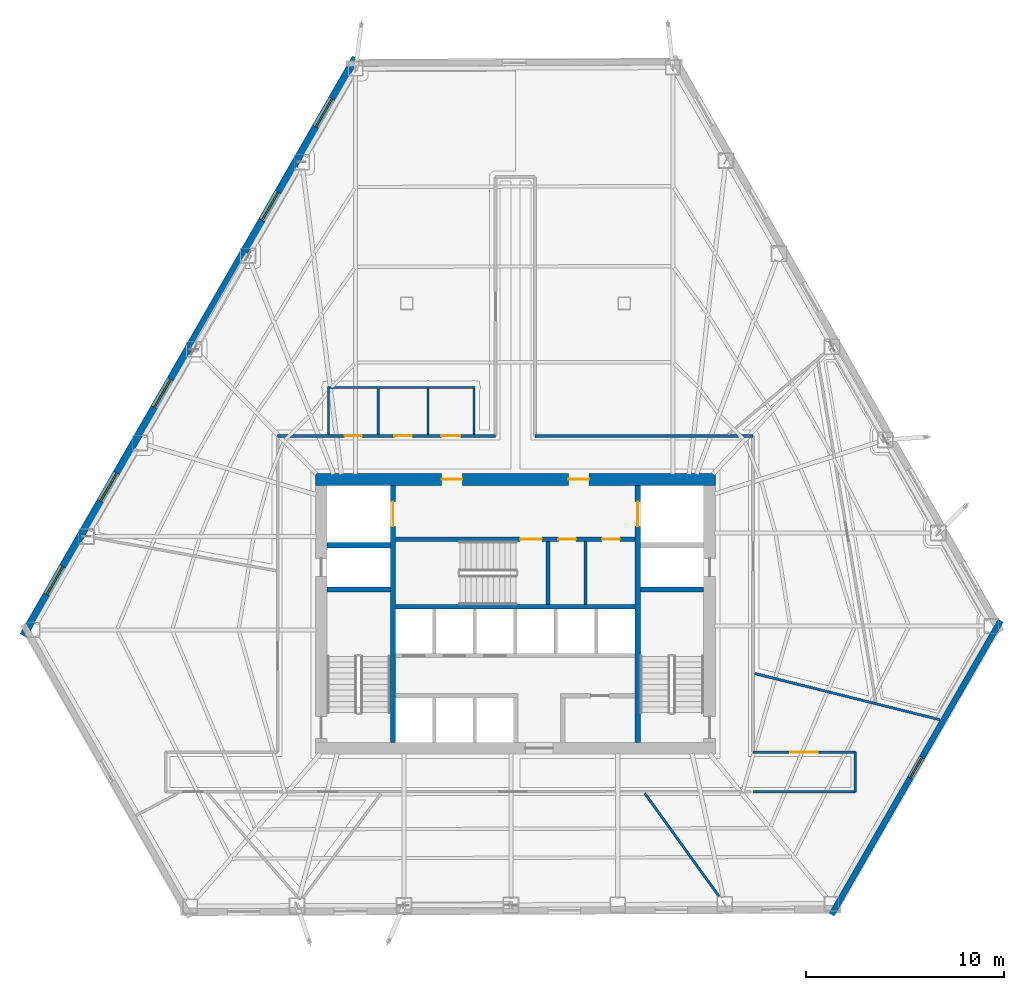
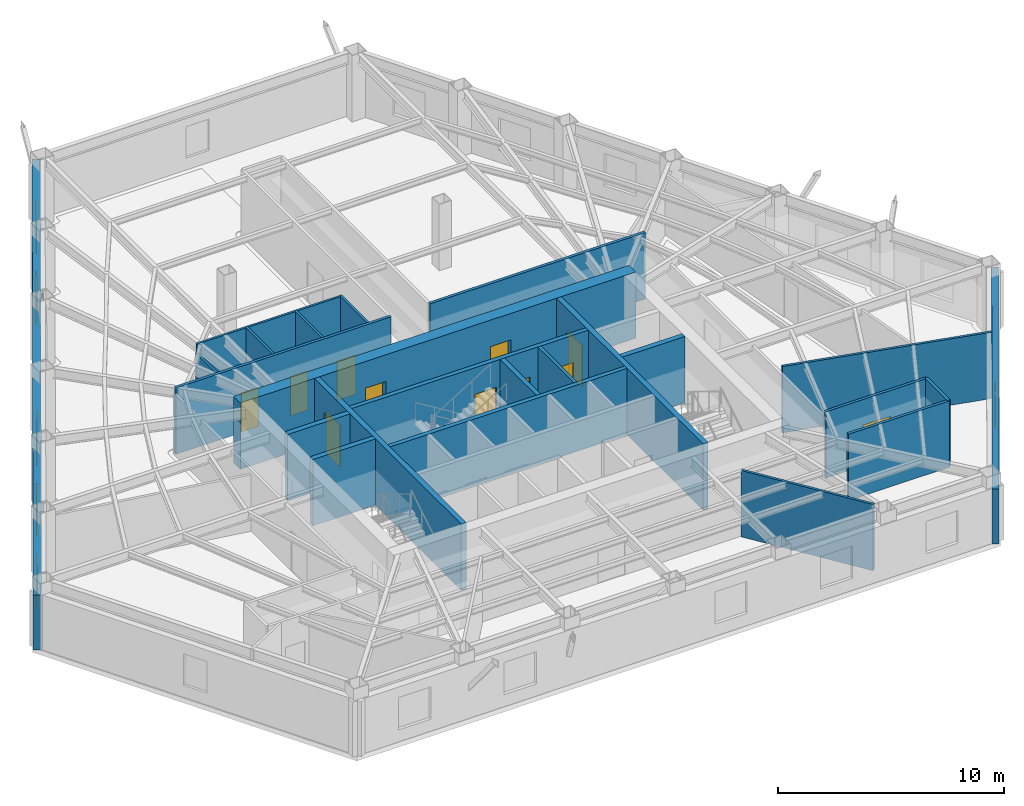
# One storey, part 8 of 12: 24 walls, 11 doors, 6 windows, 17 openings.
"""IFC4 building model written with IfcOpenShell, lengths in metres."""

from ifc_helpers import new_model, si_unit, direction, frame, frame_2d, origin, place, context, subcontext, project, spatial, rectangle, extrude, material, layer, layer_set, type_object, element, fill, save


model = new_model("IFC4")

# Units and contexts
model_context = context("Model", 3, precision=1e-05, world=origin(), true_north=direction((0.0, 1.0)))
body_context = subcontext(model_context, "Body", "Model", "MODEL_VIEW")
ifc_project = project(units=[si_unit("LENGTHUNIT", "METRE"), si_unit("AREAUNIT", "SQUARE_METRE"), si_unit("VOLUMEUNIT", "CUBIC_METRE"), si_unit("PLANEANGLEUNIT", "RADIAN"), si_unit("MASSUNIT", "GRAM", prefix="KILO")], contexts=[model_context])

# Site, building, storey
site_placement = place(None, origin())
site = spatial("IfcSite", under=ifc_project, at=site_placement, CompositionType="ELEMENT")
building_placement = place(site_placement, origin())
building = spatial("IfcBuilding", under=site, at=building_placement, Name="Kavelnor Concourse Tower", CompositionType="ELEMENT")
storey_placement = place(building_placement, frame((0.0, 0.0, 13.699951171875)))
storey = spatial("IfcBuildingStorey", under=building, at=storey_placement, Name="L03", CompositionType="ELEMENT", Elevation=13.699951171875)

# Wall, openings, doors
ifc_material_1 = material(Name="Concrete C60/75", Category="concrete")
ifc_layer_1 = layer(ifc_material_1, 0.60009765625, Name="Concrete C60/75")
ifc_layer_set_1 = layer_set([ifc_layer_1], Name="Concrete C60/75")
wall_type_1 = type_object("IfcWallType", Name="WL-CORE-Z1-600", PredefinedType="SOLIDWALL", material=ifc_layer_set_1)
wall_1_placement = place(storey_placement, frame((27.8798828125, 22.89990234375, 0.0), z_axis=(0.0, 0.0, 1.0), x_axis=(1.0, 0.0, 0.0)))
wall_1 = element("IfcWall", 1, at=wall_1_placement, inside=storey, type_object=wall_type_1, Name="L03 Central Core North Shear Wall", PredefinedType="SOLIDWALL", context=body_context, shape_type="SweptSolid", body=[
    extrude(rectangle(XDim=20.240234375, YDim=0.60009765625, at=frame_2d((10.1201171875, 0.0))), origin(), (0.0, 0.0, 1.0), 3.590087890625),
])
opening_1_placement = place(wall_1_placement, frame((6.39501953125, 0.0, 0.0)))
opening_1 = element("IfcOpeningElement", 2, at=opening_1_placement, cuts=wall_1, Name="Opening FD-105", PredefinedType="OPENING", context=body_context, shape_type="SweptSolid", body=[
    extrude(rectangle(XDim=1.050048828125, YDim=2.14990234375, at=frame_2d((0.52490234375, 1.074951171875))), frame((0.0, 0.31005859375, 0.0), z_axis=(0.0, -1.0, 0.0), x_axis=(1.0, 0.0, 0.0)), (0.0, 0.0, 1.0), 0.6201171875),
])
opening_2_placement = place(wall_1_placement, frame((12.794921875, 0.0, 0.0)))
opening_2 = element("IfcOpeningElement", 3, at=opening_2_placement, cuts=wall_1, Name="Opening FD-105", PredefinedType="OPENING", context=body_context, shape_type="SweptSolid", body=[
    extrude(rectangle(XDim=1.050048828125, YDim=2.14990234375, at=frame_2d((0.52490234375, 1.074951171875))), frame((0.0, 0.31005859375, 0.0), z_axis=(0.0, -1.0, 0.0), x_axis=(1.0, 0.0, 0.0)), (0.0, 0.0, 1.0), 0.6201171875),
])
ifc_material_2 = material(Name="Steel Grade 350", Category="steel")
door_type_1 = type_object("IfcDoorType", Name="DR-LOBBY-FIRE-1050", OperationType="NOTDEFINED", PredefinedType="DOOR", material=ifc_material_2)
door_1_placement = place(opening_1_placement, origin())
door_1 = element("IfcDoor", 4, at=door_1_placement, inside=storey, type_object=door_type_1, Name="L03 Emergency Lift Lobby West Door", OperationType="SINGLE_SWING_LEFT", OverallHeight=2.14990234375, OverallWidth=1.050048828125, PredefinedType="DOOR", context=body_context, shape_type="SweptSolid", body=[
    extrude(rectangle(XDim=1.050048828125, YDim=2.14990234375, at=frame_2d((0.52490234375, 1.074951171875))), frame((0.0, 0.02490234375, 0.0), z_axis=(0.0, -1.0, 0.0), x_axis=(1.0, 0.0, 0.0)), (0.0, 0.0, 1.0), 0.050048828125),
])
fill(opening_1, door_1)
door_2_placement = place(opening_2_placement, origin())
door_2 = element("IfcDoor", 5, at=door_2_placement, inside=storey, type_object=door_type_1, Name="L03 Emergency Lift Lobby East Door", OperationType="SINGLE_SWING_RIGHT", OverallHeight=2.14990234375, OverallWidth=1.050048828125, PredefinedType="DOOR", context=body_context, shape_type="SweptSolid", body=[
    extrude(rectangle(XDim=1.050048828125, YDim=2.14990234375, at=frame_2d((0.52490234375, 1.074951171875))), frame((0.0, 0.02490234375, 0.0), z_axis=(0.0, -1.0, 0.0), x_axis=(1.0, 0.0, 0.0)), (0.0, 0.0, 1.0), 0.050048828125),
])
fill(opening_2, door_2)

# Wall, opening, window
ifc_material_3 = material(Name="Buff ironspot clay face brick masonry", Category="masonry")
ifc_layer_2 = layer(ifc_material_3, 0.300048828125, Name="Buff ironspot clay face brick masonry")
ifc_layer_set_2 = layer_set([ifc_layer_2], Name="Buff ironspot clay face brick masonry")
wall_type_2 = type_object("IfcWallType", Name="WL-EXT-BUFF-BRICK-FOLD-300", PredefinedType="STANDARD", material=ifc_layer_set_2)
wall_2_placement = place(storey_placement, frame((62.55078125, 15.754638671875, 0.0), z_axis=(0.0, 0.0, 1.0), x_axis=(-0.498758778038, -0.866740838619, 0.0)))
wall_2 = element("IfcWall", 6, at=wall_2_placement, inside=storey, type_object=wall_type_2, Name="L03 Exterior Brick Facade Wall E4", PredefinedType="STANDARD", context=body_context, shape_type="SweptSolid", body=[
    extrude(rectangle(XDim=17.15625, YDim=0.300048828125, at=frame_2d((8.578125, 0.0))), origin(), (0.0, 0.0, 1.0), 2.969970703125),
])
opening_3_placement = place(wall_2_placement, frame((7.978271484375, 0.0, 0.64990234375)))
opening_3 = element("IfcOpeningElement", 7, at=opening_3_placement, cuts=wall_2, Name="Opening W-05", PredefinedType="OPENING", context=body_context, shape_type="SweptSolid", body=[
    extrude(rectangle(XDim=1.199951171875, YDim=1.699951171875, at=frame_2d((0.60009765625, 0.85009765625))), frame((0.0, 0.16015625, 0.0), z_axis=(0.0, -1.0, 0.0), x_axis=(1.0, 0.0, 0.0)), (0.0, 0.0, 1.0), 0.320068359375),
])
ifc_material_4 = material(Name="Double low-E argon insulated glazing", Category="glass")
window_type_1 = type_object("IfcWindowType", Name="WIN-FOLD-1200", PartitioningType="SINGLE_PANEL", PredefinedType="WINDOW", material=ifc_material_4)
window_1_placement = place(opening_3_placement, origin())
window_1 = element("IfcWindow", 8, at=window_1_placement, inside=storey, type_object=window_type_1, Name="L03 Chamfer-Fold Facet Window C2", OverallHeight=1.699951171875, OverallWidth=1.199951171875, PartitioningType="SINGLE_PANEL", PredefinedType="WINDOW", context=body_context, shape_type="SweptSolid", body=[
    extrude(rectangle(XDim=1.199951171875, YDim=1.699951171875, at=frame_2d((0.60009765625, 0.85009765625))), frame((0.0, 0.030029296875, 0.0), z_axis=(0.0, -1.0, 0.0), x_axis=(1.0, 0.0, 0.0)), (0.0, 0.0, 1.0), 0.06005859375),
])
fill(opening_3, window_1)

# Wall, openings, windows
ifc_material_5 = material(Name="Red-ochre clay face brick masonry", Category="masonry")
ifc_layer_3 = layer(ifc_material_5, 0.3798828125, Name="Red-ochre clay face brick masonry")
ifc_layer_set_3 = layer_set([ifc_layer_3], Name="Red-ochre clay face brick masonry")
wall_type_3 = type_object("IfcWallType", Name="WL-EXT-RED-BRICK-PIER-380", PredefinedType="STANDARD", material=ifc_layer_set_3)
wall_3_placement = place(storey_placement, frame((13.1083984375, 15.001708984375, 0.0), z_axis=(0.0, 0.0, 1.0), x_axis=(0.498757610738, 0.866741510331, 0.0)))
wall_3 = element("IfcWall", 9, at=wall_3_placement, inside=storey, type_object=wall_type_3, Name="L03 Exterior Brick Facade Wall E1", PredefinedType="STANDARD", context=body_context, shape_type="SweptSolid", body=[
    extrude(rectangle(XDim=33.716064453125, YDim=0.3798828125, at=frame_2d((16.85791015625, 0.0))), origin(), (0.0, 0.0, 1.0), 2.969970703125),
])
opening_4_placement = place(wall_3_placement, frame((29.684326171875, 0.0, 0.64990234375)))
opening_4 = element("IfcOpeningElement", 10, at=opening_4_placement, cuts=wall_3, Name="Opening W-01", PredefinedType="OPENING", context=body_context, shape_type="SweptSolid", body=[
    extrude(rectangle(XDim=1.64990234375, YDim=1.75, at=frame_2d((0.824951171875, 0.875))), frame((0.0, 0.199951171875, 0.0), z_axis=(0.0, -1.0, 0.0), x_axis=(1.0, 0.0, 0.0)), (0.0, 0.0, 1.0), 0.39990234375),
])
opening_5_placement = place(wall_3_placement, frame((24.223388671875, 0.0, 0.64990234375)))
opening_5 = element("IfcOpeningElement", 11, at=opening_5_placement, cuts=wall_3, Name="Opening W-01", PredefinedType="OPENING", context=body_context, shape_type="SweptSolid", body=[
    extrude(rectangle(XDim=1.64990234375, YDim=1.75, at=frame_2d((0.824951171875, 0.875))), frame((0.0, 0.199951171875, 0.0), z_axis=(0.0, -1.0, 0.0), x_axis=(1.0, 0.0, 0.0)), (0.0, 0.0, 1.0), 0.39990234375),
])
opening_6_placement = place(wall_3_placement, frame((13.302001953125, 0.0, 0.64990234375)))
opening_6 = element("IfcOpeningElement", 12, at=opening_6_placement, cuts=wall_3, Name="Opening W-01", PredefinedType="OPENING", context=body_context, shape_type="SweptSolid", body=[
    extrude(rectangle(XDim=1.64990234375, YDim=1.75, at=frame_2d((0.824951171875, 0.875))), frame((0.0, 0.199951171875, 0.0), z_axis=(0.0, -1.0, 0.0), x_axis=(1.0, 0.0, 0.0)), (0.0, 0.0, 1.0), 0.39990234375),
])
opening_7_placement = place(wall_3_placement, frame((7.841064453125, 0.0, 0.64990234375)))
opening_7 = element("IfcOpeningElement", 13, at=opening_7_placement, cuts=wall_3, Name="Opening W-01", PredefinedType="OPENING", context=body_context, shape_type="SweptSolid", body=[
    extrude(rectangle(XDim=1.64990234375, YDim=1.75, at=frame_2d((0.824951171875, 0.875))), frame((0.0, 0.199951171875, 0.0), z_axis=(0.0, -1.0, 0.0), x_axis=(1.0, 0.0, 0.0)), (0.0, 0.0, 1.0), 0.39990234375),
])
opening_8_placement = place(wall_3_placement, frame((2.38037109375, 0.0, 0.64990234375)))
opening_8 = element("IfcOpeningElement", 14, at=opening_8_placement, cuts=wall_3, Name="Opening W-01", PredefinedType="OPENING", context=body_context, shape_type="SweptSolid", body=[
    extrude(rectangle(XDim=1.64990234375, YDim=1.75, at=frame_2d((0.824951171875, 0.875))), frame((0.0, 0.199951171875, 0.0), z_axis=(0.0, -1.0, 0.0), x_axis=(1.0, 0.0, 0.0)), (0.0, 0.0, 1.0), 0.39990234375),
])
window_type_2 = type_object("IfcWindowType", Name="WIN-PIER-Z1-1800", PartitioningType="SINGLE_PANEL", PredefinedType="WINDOW", material=ifc_material_4)
window_2_placement = place(opening_4_placement, origin())
window_2 = element("IfcWindow", 15, at=window_2_placement, inside=storey, type_object=window_type_2, Name="L03 Deep-Set Brick Pier Window F0-B0", OverallHeight=1.75, OverallWidth=1.64990234375, PartitioningType="SINGLE_PANEL", PredefinedType="WINDOW", context=body_context, shape_type="SweptSolid", body=[
    extrude(rectangle(XDim=1.64990234375, YDim=1.75, at=frame_2d((0.824951171875, 0.875))), frame((0.0, 0.030029296875, 0.0), z_axis=(0.0, -1.0, 0.0), x_axis=(1.0, 0.0, 0.0)), (0.0, 0.0, 1.0), 0.06005859375),
])
fill(opening_4, window_2)
window_3_placement = place(opening_5_placement, origin())
window_3 = element("IfcWindow", 16, at=window_3_placement, inside=storey, type_object=window_type_2, Name="L03 Deep-Set Brick Pier Window F0-B1", OverallHeight=1.75, OverallWidth=1.64990234375, PartitioningType="SINGLE_PANEL", PredefinedType="WINDOW", context=body_context, shape_type="SweptSolid", body=[
    extrude(rectangle(XDim=1.64990234375, YDim=1.75, at=frame_2d((0.824951171875, 0.875))), frame((0.0, 0.030029296875, 0.0), z_axis=(0.0, -1.0, 0.0), x_axis=(1.0, 0.0, 0.0)), (0.0, 0.0, 1.0), 0.06005859375),
])
fill(opening_5, window_3)
window_4_placement = place(opening_6_placement, origin())
window_4 = element("IfcWindow", 17, at=window_4_placement, inside=storey, type_object=window_type_2, Name="L03 Deep-Set Brick Pier Window F0-B3", OverallHeight=1.75, OverallWidth=1.64990234375, PartitioningType="SINGLE_PANEL", PredefinedType="WINDOW", context=body_context, shape_type="SweptSolid", body=[
    extrude(rectangle(XDim=1.64990234375, YDim=1.75, at=frame_2d((0.824951171875, 0.875))), frame((0.0, 0.030029296875, 0.0), z_axis=(0.0, -1.0, 0.0), x_axis=(1.0, 0.0, 0.0)), (0.0, 0.0, 1.0), 0.06005859375),
])
fill(opening_6, window_4)
window_5_placement = place(opening_7_placement, origin())
window_5 = element("IfcWindow", 18, at=window_5_placement, inside=storey, type_object=window_type_2, Name="L03 Deep-Set Brick Pier Window F0-B4", OverallHeight=1.75, OverallWidth=1.64990234375, PartitioningType="SINGLE_PANEL", PredefinedType="WINDOW", context=body_context, shape_type="SweptSolid", body=[
    extrude(rectangle(XDim=1.64990234375, YDim=1.75, at=frame_2d((0.824951171875, 0.875))), frame((0.0, 0.030029296875, 0.0), z_axis=(0.0, -1.0, 0.0), x_axis=(1.0, 0.0, 0.0)), (0.0, 0.0, 1.0), 0.06005859375),
])
fill(opening_7, window_5)
window_6_placement = place(opening_8_placement, origin())
window_6 = element("IfcWindow", 19, at=window_6_placement, inside=storey, type_object=window_type_2, Name="L03 Deep-Set Brick Pier Window F0-B5", OverallHeight=1.75, OverallWidth=1.64990234375, PartitioningType="SINGLE_PANEL", PredefinedType="WINDOW", context=body_context, shape_type="SweptSolid", body=[
    extrude(rectangle(XDim=1.64990234375, YDim=1.75, at=frame_2d((0.824951171875, 0.875))), frame((0.0, 0.030029296875, 0.0), z_axis=(0.0, -1.0, 0.0), x_axis=(1.0, 0.0, 0.0)), (0.0, 0.0, 1.0), 0.06005859375),
])
fill(opening_8, window_6)

# Wall, openings, doors
ifc_material_6 = material(Name="Gypsum plasterboard on light-gauge steel studs", Category="steel")
ifc_layer_4 = layer(ifc_material_6, 0.14501953125, Name="Gypsum plasterboard on light-gauge steel studs")
ifc_layer_set_4 = layer_set([ifc_layer_4], Name="Gypsum plasterboard on light-gauge steel studs")
wall_type_4 = type_object("IfcWallType", Name="WL-INT-CORR-145", PredefinedType="PARTITIONING", material=ifc_layer_set_4)
wall_4_placement = place(storey_placement, frame((25.97998046875, 25.10009765625, 0.0), z_axis=(0.0, 0.0, 1.0), x_axis=(1.0, 0.0, 0.0)))
wall_4 = element("IfcWall", 20, at=wall_4_placement, inside=storey, type_object=wall_type_4, Name="L03 Corridor Wall WL-L03-CR-03", PredefinedType="PARTITIONING", context=body_context, shape_type="SweptSolid", body=[
    extrude(rectangle(XDim=11.02001953125, YDim=0.14501953125, at=frame_2d((5.510009765625, 0.0))), origin(), (0.0, 0.0, 1.0), 3.590087890625),
])
opening_9_placement = place(wall_4_placement, frame((3.3798828125, 0.0, 0.0)))
opening_9 = element("IfcOpeningElement", 21, at=opening_9_placement, cuts=wall_4, Name="Opening WD-088", PredefinedType="OPENING", context=body_context, shape_type="SweptSolid", body=[
    extrude(rectangle(XDim=0.8798828125, YDim=2.10009765625, at=frame_2d((0.43994140625, 1.050048828125))), frame((0.0, 0.08251953125, 0.0), z_axis=(0.0, -1.0, 0.0), x_axis=(1.0, 0.0, 0.0)), (0.0, 0.0, 1.0), 0.1650390625),
])
opening_10_placement = place(wall_4_placement, frame((5.89990234375, 0.0, 0.0)))
opening_10 = element("IfcOpeningElement", 22, at=opening_10_placement, cuts=wall_4, Name="Opening WD-088", PredefinedType="OPENING", context=body_context, shape_type="SweptSolid", body=[
    extrude(rectangle(XDim=0.8798828125, YDim=2.10009765625, at=frame_2d((0.43994140625, 1.050048828125))), frame((0.0, 0.08251953125, 0.0), z_axis=(0.0, -1.0, 0.0), x_axis=(1.0, 0.0, 0.0)), (0.0, 0.0, 1.0), 0.1650390625),
])
opening_11_placement = place(wall_4_placement, frame((8.280029296875, 0.0, 0.0)))
opening_11 = element("IfcOpeningElement", 23, at=opening_11_placement, cuts=wall_4, Name="Opening WD-096", PredefinedType="OPENING", context=body_context, shape_type="SweptSolid", body=[
    extrude(rectangle(XDim=0.9599609375, YDim=2.10009765625, at=frame_2d((0.47998046875, 1.050048828125))), frame((0.0, 0.08251953125, 0.0), z_axis=(0.0, -1.0, 0.0), x_axis=(1.0, 0.0, 0.0)), (0.0, 0.0, 1.0), 0.1650390625),
])
ifc_material_7 = material(Name="Solid-core hardwood timber", Category="wood")
door_type_2 = type_object("IfcDoorType", Name="DR-WC-ACC-960", OperationType="NOTDEFINED", PredefinedType="DOOR", material=ifc_material_7)
door_3_placement = place(opening_11_placement, origin())
door_3 = element("IfcDoor", 24, at=door_3_placement, inside=storey, type_object=door_type_2, Name="L03 Accessible WC Door", OperationType="SINGLE_SWING_RIGHT", OverallHeight=2.10009765625, OverallWidth=0.9599609375, PredefinedType="DOOR", context=body_context, shape_type="SweptSolid", body=[
    extrude(rectangle(XDim=0.9599609375, YDim=2.10009765625, at=frame_2d((0.47998046875, 1.050048828125))), frame((0.0, 0.02490234375, 0.0), z_axis=(0.0, -1.0, 0.0), x_axis=(1.0, 0.0, 0.0)), (0.0, 0.0, 1.0), 0.050048828125),
])
fill(opening_11, door_3)
door_type_3 = type_object("IfcDoorType", Name="DR-WC-STD-880", OperationType="NOTDEFINED", PredefinedType="DOOR", material=ifc_material_7)
door_4_placement = place(opening_9_placement, origin())
door_4 = element("IfcDoor", 25, at=door_4_placement, inside=storey, type_object=door_type_3, Name="L03 Male WC Door", OperationType="SINGLE_SWING_RIGHT", OverallHeight=2.10009765625, OverallWidth=0.8798828125, PredefinedType="DOOR", context=body_context, shape_type="SweptSolid", body=[
    extrude(rectangle(XDim=0.8798828125, YDim=2.10009765625, at=frame_2d((0.43994140625, 1.050048828125))), frame((0.0, 0.02490234375, 0.0), z_axis=(0.0, -1.0, 0.0), x_axis=(1.0, 0.0, 0.0)), (0.0, 0.0, 1.0), 0.050048828125),
])
fill(opening_9, door_4)
door_5_placement = place(opening_10_placement, origin())
door_5 = element("IfcDoor", 26, at=door_5_placement, inside=storey, type_object=door_type_3, Name="L03 Female WC Door", OperationType="SINGLE_SWING_LEFT", OverallHeight=2.10009765625, OverallWidth=0.8798828125, PredefinedType="DOOR", context=body_context, shape_type="SweptSolid", body=[
    extrude(rectangle(XDim=0.8798828125, YDim=2.10009765625, at=frame_2d((0.43994140625, 1.050048828125))), frame((0.0, 0.02490234375, 0.0), z_axis=(0.0, -1.0, 0.0), x_axis=(1.0, 0.0, 0.0)), (0.0, 0.0, 1.0), 0.050048828125),
])
fill(opening_10, door_5)

# Wall
wall_5_placement = place(storey_placement, frame((39.0, 25.10009765625, 0.0), z_axis=(0.0, 0.0, 1.0), x_axis=(1.0, 0.0, 0.0)))
element("IfcWall", 27, at=wall_5_placement, inside=storey, type_object=wall_type_4, Name="L03 Corridor Wall WL-L03-CR-07", PredefinedType="PARTITIONING", context=body_context, shape_type="SweptSolid", body=[
    extrude(rectangle(XDim=11.02001953125, YDim=0.14501953125, at=frame_2d((5.510009765625, 0.0))), origin(), (0.0, 0.0, 1.0), 3.590087890625),
])

# Wall, opening, door
wall_6_placement = place(storey_placement, frame((50.02001953125, 9.10009765625, 0.0), z_axis=(0.0, 0.0, 1.0), x_axis=(1.0, 0.0, 0.0)))
wall_6 = element("IfcWall", 28, at=wall_6_placement, inside=storey, type_object=wall_type_4, Name="L03 Corridor Wall WL-L03-CR-09", PredefinedType="PARTITIONING", context=body_context, shape_type="SweptSolid", body=[
    extrude(rectangle(XDim=5.1708984375, YDim=0.14501953125, at=frame_2d((2.58544921875, 0.0))), origin(), (0.0, 0.0, 1.0), 3.590087890625),
])
opening_12_placement = place(wall_6_placement, frame((1.885498046875, 0.0, 0.0)))
opening_12 = element("IfcOpeningElement", 29, at=opening_12_placement, cuts=wall_6, Name="Opening SD-140", PredefinedType="OPENING", context=body_context, shape_type="SweptSolid", body=[
    extrude(rectangle(XDim=1.39990234375, YDim=2.199951171875, at=frame_2d((0.699951171875, 1.10009765625))), frame((0.0, 0.08251953125, 0.0), z_axis=(0.0, -1.0, 0.0), x_axis=(1.0, 0.0, 0.0)), (0.0, 0.0, 1.0), 0.1650390625),
])
door_type_4 = type_object("IfcDoorType", Name="DR-SUITE-ENTRY-1400", OperationType="NOTDEFINED", PredefinedType="DOOR", material=ifc_material_7)
door_6_placement = place(opening_12_placement, origin())
door_6 = element("IfcDoor", 30, at=door_6_placement, inside=storey, type_object=door_type_4, Name="L03 Technical Reference Library 08 Door", OperationType="SINGLE_SWING_RIGHT", OverallHeight=2.199951171875, OverallWidth=1.39990234375, PredefinedType="DOOR", context=body_context, shape_type="SweptSolid", body=[
    extrude(rectangle(XDim=1.39990234375, YDim=2.199951171875, at=frame_2d((0.699951171875, 1.10009765625))), frame((0.0, 0.02490234375, 0.0), z_axis=(0.0, -1.0, 0.0), x_axis=(1.0, 0.0, 0.0)), (0.0, 0.0, 1.0), 0.050048828125),
])
fill(opening_12, door_6)

# Walls
wall_7_placement = place(storey_placement, frame((55.19091796875, 9.10009765625, 0.0), z_axis=(0.0, 0.0, 1.0), x_axis=(0.0, -1.0, 0.0)))
element("IfcWall", 31, at=wall_7_placement, inside=storey, type_object=wall_type_4, Name="L03 Corridor Wall WL-L03-CR-10", PredefinedType="PARTITIONING", context=body_context, shape_type="SweptSolid", body=[
    extrude(rectangle(XDim=2.0, YDim=0.14501953125, at=frame_2d((1.0, 0.0))), origin(), (0.0, 0.0, 1.0), 3.590087890625),
])
wall_8_placement = place(storey_placement, frame((55.19091796875, 7.10009765625, 0.0), z_axis=(0.0, 0.0, 1.0), x_axis=(-1.0, 0.0, 0.0)))
element("IfcWall", 32, at=wall_8_placement, inside=storey, type_object=wall_type_4, Name="L03 Corridor Wall WL-L03-CR-11", PredefinedType="PARTITIONING", context=body_context, shape_type="SweptSolid", body=[
    extrude(rectangle(XDim=5.1708984375, YDim=0.14501953125, at=frame_2d((2.58544921875, 0.0))), origin(), (0.0, 0.0, 1.0), 3.590087890625),
])
ifc_layer_5 = layer(ifc_material_6, 0.1650390625, Name="Gypsum plasterboard on light-gauge steel studs")
ifc_layer_set_5 = layer_set([ifc_layer_5], Name="Gypsum plasterboard on light-gauge steel studs")
wall_type_5 = type_object("IfcWallType", Name="WL-INT-FIRE-165", PredefinedType="PARTITIONING", material=ifc_layer_set_5)
wall_9_placement = place(storey_placement, frame((41.550048828125, 16.56005859375, 0.0), z_axis=(0.0, 0.0, 1.0), x_axis=(0.0, 1.0, 0.0)))
element("IfcWall", 33, at=wall_9_placement, inside=storey, type_object=wall_type_5, Name="L03 Core North Support Divider", PredefinedType="PARTITIONING", context=body_context, shape_type="SweptSolid", body=[
    extrude(rectangle(XDim=3.199951171875, YDim=0.1650390625, at=frame_2d((1.60009765625, 0.0))), origin(), (0.0, 0.0, 1.0), 3.590087890625),
])
ifc_layer_6 = layer(ifc_material_6, 0.125, Name="Gypsum plasterboard on light-gauge steel studs")
ifc_layer_set_6 = layer_set([ifc_layer_6], Name="Gypsum plasterboard on light-gauge steel studs")
wall_type_6 = type_object("IfcWallType", Name="WL-INT-SUITE-125", PredefinedType="PARTITIONING", material=ifc_layer_set_6)
wall_10_placement = place(storey_placement, frame((44.5458984375, 7.01953125, 0.0), z_axis=(0.0, 0.0, 1.0), x_axis=(0.584759038679, -0.811207043043, 0.0)))
element("IfcWall", 34, at=wall_10_placement, inside=storey, type_object=wall_type_6, Name="L03 Radial Suite Partition 05", PredefinedType="PARTITIONING", context=body_context, shape_type="SweptSolid", body=[
    extrude(rectangle(XDim=6.41162109375, YDim=0.125, at=frame_2d((3.205810546875, 0.0))), origin(), (0.0, 0.0, 1.0), 3.590087890625),
])
wall_11_placement = place(storey_placement, frame((50.1005859375, 13.0830078125, 0.0), z_axis=(0.0, 0.0, 1.0), x_axis=(0.970295533253, -0.241922669771, 0.0)))
element("IfcWall", 35, at=wall_11_placement, inside=storey, type_object=wall_type_6, Name="L03 Radial Suite Partition 06", PredefinedType="PARTITIONING", context=body_context, shape_type="SweptSolid", body=[
    extrude(rectangle(XDim=9.65380859375, YDim=0.125, at=frame_2d((4.826904296875, 0.0))), origin(), (0.0, 0.0, 1.0), 3.590087890625),
])
ifc_layer_7 = layer(ifc_material_6, 0.110107421875, Name="Gypsum plasterboard on light-gauge steel studs")
ifc_layer_set_7 = layer_set([ifc_layer_7], Name="Gypsum plasterboard on light-gauge steel studs")
wall_type_7 = type_object("IfcWallType", Name="WL-INT-WC-110", PredefinedType="PLUMBINGWALL", material=ifc_layer_set_7)
wall_12_placement = place(storey_placement, frame((28.5400390625, 25.169921875, 0.0), z_axis=(0.0, 0.0, 1.0), x_axis=(0.0, 1.0, 0.0)))
element("IfcWall", 36, at=wall_12_placement, inside=storey, type_object=wall_type_7, Name="L03 Sanitary Partition WL-L03-WC-W", PredefinedType="PLUMBINGWALL", context=body_context, shape_type="SweptSolid", body=[
    extrude(rectangle(XDim=2.440185546875, YDim=0.110107421875, at=frame_2d((1.22021484375, 0.0))), origin(), (0.0, 0.0, 1.0), 3.05712890625),
])
for number, where, z_axis, x_axis, name in (
    (37, (31.06005859375, 25.169921875, 0.0), (0.0, 0.0, 1.0), (0.0, 1.0, 0.0), "L03 Sanitary Partition WL-L03-WC-D1"),
    (38, (33.580078125, 25.169921875, 0.0), (0.0, 0.0, 1.0), (0.0, 1.0, 0.0), "L03 Sanitary Partition WL-L03-WC-D2"),
    (39, (35.89990234375, 25.169921875, 0.0), (0.0, 0.0, 1.0), (0.0, 1.0, 0.0), "L03 Sanitary Partition WL-L03-WC-E"),
):
    element("IfcWall", number, at=place(storey_placement, frame(where, z_axis=z_axis, x_axis=x_axis)), inside=storey, type_object=wall_type_7, Name=name, PredefinedType="PLUMBINGWALL", context=body_context, shape_type="SweptSolid", body=[
        extrude(rectangle(XDim=2.440185546875, YDim=0.110107421875, at=frame_2d((1.22021484375, 0.0))), origin(), (0.0, 0.0, 1.0), 3.590087890625),
    ])
wall_13_placement = place(storey_placement, frame((28.489990234375, 27.550048828125, 0.0), z_axis=(0.0, 0.0, 1.0), x_axis=(1.0, 0.0, 0.0)))
element("IfcWall", 40, at=wall_13_placement, inside=storey, type_object=wall_type_7, Name="L03 Sanitary Partition WL-L03-WC-N", PredefinedType="PLUMBINGWALL", context=body_context, shape_type="SweptSolid", body=[
    extrude(rectangle(XDim=7.4599609375, YDim=0.110107421875, at=frame_2d((3.72998046875, 0.0))), origin(), (0.0, 0.0, 1.0), 3.590087890625),
])

# Wall, openings, doors
ifc_material_8 = material(Name="Concrete C50/60", Category="concrete")
ifc_layer_8 = layer(ifc_material_8, 0.219970703125, Name="Concrete C50/60")
ifc_layer_set_8 = layer_set([ifc_layer_8], Name="Concrete C50/60")
wall_type_8 = type_object("IfcWallType", Name="WL-SHAFT-220", PredefinedType="SOLIDWALL", material=ifc_layer_set_8)
wall_14_placement = place(storey_placement, frame((31.93994140625, 19.8701171875, 0.0), z_axis=(0.0, 0.0, 1.0), x_axis=(1.0, 0.0, 0.0)))
wall_14 = element("IfcWall", 41, at=wall_14_placement, inside=storey, type_object=wall_type_8, Name="L03 Emergency Lift Lobby South Wall", PredefinedType="SOLIDWALL", context=body_context, shape_type="SweptSolid", body=[
    extrude(rectangle(XDim=12.1201171875, YDim=0.219970703125, at=frame_2d((6.06005859375, 0.0))), origin(), (0.0, 0.0, 1.0), 3.590087890625),
])
opening_13_placement = place(wall_14_placement, frame((6.300048828125, 0.0, 0.0)))
opening_13 = element("IfcOpeningElement", 42, at=opening_13_placement, cuts=wall_14, Name="Opening FD-110", PredefinedType="OPENING", context=body_context, shape_type="SweptSolid", body=[
    extrude(rectangle(XDim=1.10009765625, YDim=2.14990234375, at=frame_2d((0.550048828125, 1.074951171875))), frame((0.0, 0.1201171875, 0.0), z_axis=(0.0, -1.0, 0.0), x_axis=(1.0, 0.0, 0.0)), (0.0, 0.0, 1.0), 0.239990234375),
])
opening_14_placement = place(wall_14_placement, frame((8.22998046875, 0.0, 0.0)))
opening_14 = element("IfcOpeningElement", 43, at=opening_14_placement, cuts=wall_14, Name="Opening FD-090", PredefinedType="OPENING", context=body_context, shape_type="SweptSolid", body=[
    extrude(rectangle(XDim=0.89990234375, YDim=2.10009765625, at=frame_2d((0.449951171875, 1.050048828125))), frame((0.0, 0.1201171875, 0.0), z_axis=(0.0, -1.0, 0.0), x_axis=(1.0, 0.0, 0.0)), (0.0, 0.0, 1.0), 0.239990234375),
])
opening_15_placement = place(wall_14_placement, frame((10.449951171875, 0.0, 0.0)))
opening_15 = element("IfcOpeningElement", 44, at=opening_15_placement, cuts=wall_14, Name="Opening FD-090", PredefinedType="OPENING", context=body_context, shape_type="SweptSolid", body=[
    extrude(rectangle(XDim=0.89990234375, YDim=2.10009765625, at=frame_2d((0.449951171875, 1.050048828125))), frame((0.0, 0.1201171875, 0.0), z_axis=(0.0, -1.0, 0.0), x_axis=(1.0, 0.0, 0.0)), (0.0, 0.0, 1.0), 0.239990234375),
])
door_type_5 = type_object("IfcDoorType", Name="DR-RISER-FIRE-900", OperationType="NOTDEFINED", PredefinedType="DOOR", material=ifc_material_2)
door_7_placement = place(opening_14_placement, origin())
door_7 = element("IfcDoor", 45, at=door_7_placement, inside=storey, type_object=door_type_5, Name="L03 Telecom Room Door", OperationType="SINGLE_SWING_LEFT", OverallHeight=2.10009765625, OverallWidth=0.89990234375, PredefinedType="DOOR", context=body_context, shape_type="SweptSolid", body=[
    extrude(rectangle(XDim=0.89990234375, YDim=2.10009765625, at=frame_2d((0.449951171875, 1.050048828125))), frame((0.0, 0.02490234375, 0.0), z_axis=(0.0, -1.0, 0.0), x_axis=(1.0, 0.0, 0.0)), (0.0, 0.0, 1.0), 0.050048828125),
])
fill(opening_14, door_7)
door_8_placement = place(opening_15_placement, origin())
door_8 = element("IfcDoor", 46, at=door_8_placement, inside=storey, type_object=door_type_5, Name="L03 Janitor Store Door", OperationType="SINGLE_SWING_RIGHT", OverallHeight=2.10009765625, OverallWidth=0.89990234375, PredefinedType="DOOR", context=body_context, shape_type="SweptSolid", body=[
    extrude(rectangle(XDim=0.89990234375, YDim=2.10009765625, at=frame_2d((0.449951171875, 1.050048828125))), frame((0.0, 0.02490234375, 0.0), z_axis=(0.0, -1.0, 0.0), x_axis=(1.0, 0.0, 0.0)), (0.0, 0.0, 1.0), 0.050048828125),
])
fill(opening_15, door_8)
door_type_6 = type_object("IfcDoorType", Name="DR-STAIR-FIRE-1100", OperationType="NOTDEFINED", PredefinedType="DOOR", material=ifc_material_2)
door_9_placement = place(opening_13_placement, origin())
door_9 = element("IfcDoor", 47, at=door_9_placement, inside=storey, type_object=door_type_6, Name="L03 Stair ST3 Fire Door", OperationType="SINGLE_SWING_LEFT", OverallHeight=2.14990234375, OverallWidth=1.10009765625, PredefinedType="DOOR", context=body_context, shape_type="SweptSolid", body=[
    extrude(rectangle(XDim=1.10009765625, YDim=2.14990234375, at=frame_2d((0.550048828125, 1.074951171875))), frame((0.0, 0.02490234375, 0.0), z_axis=(0.0, -1.0, 0.0), x_axis=(1.0, 0.0, 0.0)), (0.0, 0.0, 1.0), 0.050048828125),
])
fill(opening_13, door_9)

# Walls
wall_15_placement = place(storey_placement, frame((31.93994140625, 16.449951171875, 0.0), z_axis=(0.0, 0.0, 1.0), x_axis=(1.0, 0.0, 0.0)))
element("IfcWall", 48, at=wall_15_placement, inside=storey, type_object=wall_type_8, Name="L03 Stair ST3 South Core Wall", PredefinedType="SOLIDWALL", context=body_context, shape_type="SweptSolid", body=[
    extrude(rectangle(XDim=12.1201171875, YDim=0.219970703125, at=frame_2d((6.06005859375, 0.0))), origin(), (0.0, 0.0, 1.0), 3.590087890625),
])
wall_16_placement = place(storey_placement, frame((39.64990234375, 16.56005859375, 0.0), z_axis=(0.0, 0.0, 1.0), x_axis=(0.0, 1.0, 0.0)))
element("IfcWall", 49, at=wall_16_placement, inside=storey, type_object=wall_type_8, Name="L03 Stair ST3 East Core Wall", PredefinedType="SOLIDWALL", context=body_context, shape_type="SweptSolid", body=[
    extrude(rectangle(XDim=3.199951171875, YDim=0.219970703125, at=frame_2d((1.60009765625, 0.0))), origin(), (0.0, 0.0, 1.0), 3.590087890625),
])

# Wall, opening, door
ifc_layer_9 = layer(ifc_material_8, 0.260009765625, Name="Concrete C50/60")
ifc_layer_set_9 = layer_set([ifc_layer_9], Name="Concrete C50/60")
wall_type_9 = type_object("IfcWallType", Name="WL-SHAFT-260", PredefinedType="SHEAR", material=ifc_layer_set_9)
wall_17_placement = place(storey_placement, frame((31.81005859375, 9.60009765625, 0.0), z_axis=(0.0, 0.0, 1.0), x_axis=(0.0, 1.0, 0.0)))
wall_17 = element("IfcWall", 50, at=wall_17_placement, inside=storey, type_object=wall_type_9, Name="L03 Core West Wing Shear Wall", PredefinedType="SHEAR", context=body_context, shape_type="SweptSolid", body=[
    extrude(rectangle(XDim=13.0, YDim=0.260009765625, at=frame_2d((6.5, 0.0))), origin(), (0.0, 0.0, 1.0), 3.590087890625),
])
opening_16_placement = place(wall_17_placement, frame((10.925048828125, 0.0, 0.0)))
opening_16 = element("IfcOpeningElement", 51, at=opening_16_placement, cuts=wall_17, Name="Opening LD-125", PredefinedType="OPENING", context=body_context, shape_type="SweptSolid", body=[
    extrude(rectangle(XDim=1.25, YDim=2.25, at=frame_2d((0.625, 1.125))), frame((0.0, 0.14013671875, 0.0), z_axis=(0.0, -1.0, 0.0), x_axis=(1.0, 0.0, 0.0)), (0.0, 0.0, 1.0), 0.280029296875),
])
door_type_7 = type_object("IfcDoorType", Name="DR-LIFT-SLIDING-1250", OperationType="NOTDEFINED", PredefinedType="DOOR", material=ifc_material_2)
door_10_placement = place(opening_16_placement, origin())
door_10 = element("IfcDoor", 52, at=door_10_placement, inside=storey, type_object=door_type_7, Name="L03 Emergency Lift FL1 Landing Door", OperationType="DOUBLE_DOOR_SLIDING", OverallHeight=2.25, OverallWidth=1.25, PredefinedType="DOOR", context=body_context, shape_type="SweptSolid", body=[
    extrude(rectangle(XDim=1.25, YDim=2.25, at=frame_2d((0.625, 1.125))), frame((0.0, 0.02490234375, 0.0), z_axis=(0.0, -1.0, 0.0), x_axis=(1.0, 0.0, 0.0)), (0.0, 0.0, 1.0), 0.050048828125),
])
fill(opening_16, door_10)

wall_18_placement = place(storey_placement, frame((44.18994140625, 9.60009765625, 0.0), z_axis=(0.0, 0.0, 1.0), x_axis=(0.0, 1.0, 0.0)))
wall_18 = element("IfcWall", 53, at=wall_18_placement, inside=storey, type_object=wall_type_9, Name="L03 Core East Wing Shear Wall", PredefinedType="SHEAR", context=body_context, shape_type="SweptSolid", body=[
    extrude(rectangle(XDim=13.0, YDim=0.260009765625, at=frame_2d((6.5, 0.0))), origin(), (0.0, 0.0, 1.0), 3.590087890625),
])
opening_17_placement = place(wall_18_placement, frame((10.925048828125, 0.0, 0.0)))
opening_17 = element("IfcOpeningElement", 54, at=opening_17_placement, cuts=wall_18, Name="Opening LD-125", PredefinedType="OPENING", context=body_context, shape_type="SweptSolid", body=[
    extrude(rectangle(XDim=1.25, YDim=2.25, at=frame_2d((0.625, 1.125))), frame((0.0, 0.14013671875, 0.0), z_axis=(0.0, -1.0, 0.0), x_axis=(1.0, 0.0, 0.0)), (0.0, 0.0, 1.0), 0.280029296875),
])
door_11_placement = place(opening_17_placement, origin())
door_11 = element("IfcDoor", 55, at=door_11_placement, inside=storey, type_object=door_type_7, Name="L03 Emergency Lift FL2 Landing Door", OperationType="DOUBLE_DOOR_SLIDING", OverallHeight=2.25, OverallWidth=1.25, PredefinedType="DOOR", context=body_context, shape_type="SweptSolid", body=[
    extrude(rectangle(XDim=1.25, YDim=2.25, at=frame_2d((0.625, 1.125))), frame((0.0, 0.02490234375, 0.0), z_axis=(0.0, -1.0, 0.0), x_axis=(1.0, 0.0, 0.0)), (0.0, 0.0, 1.0), 0.050048828125),
])
fill(opening_17, door_11)

# Walls
for number, where, z_axis, x_axis, name in (
    (56, (28.47998046875, 17.330078125, 0.0), (0.0, 0.0, 1.0), (1.0, 0.0, 0.0), "L03 Stair ST1 North Shaft Wall"),
    (57, (28.47998046875, 19.570068359375, 0.0), (0.0, 0.0, 1.0), (1.0, 0.0, 0.0), "L03 Emergency Lift FL1 South Shaft Wall"),
    (58, (44.320068359375, 17.330078125, 0.0), (0.0, 0.0, 1.0), (1.0, 0.0, 0.0), "L03 Stair ST2 North Shaft Wall"),
):
    element("IfcWall", number, at=place(storey_placement, frame(where, z_axis=z_axis, x_axis=x_axis)), inside=storey, type_object=wall_type_9, Name=name, PredefinedType="SHEAR", context=body_context, shape_type="SweptSolid", body=[
        extrude(rectangle(XDim=3.199951171875, YDim=0.260009765625, at=frame_2d((1.60009765625, 0.0))), origin(), (0.0, 0.0, 1.0), 3.590087890625),
    ])

save(model, "model.ifc")
